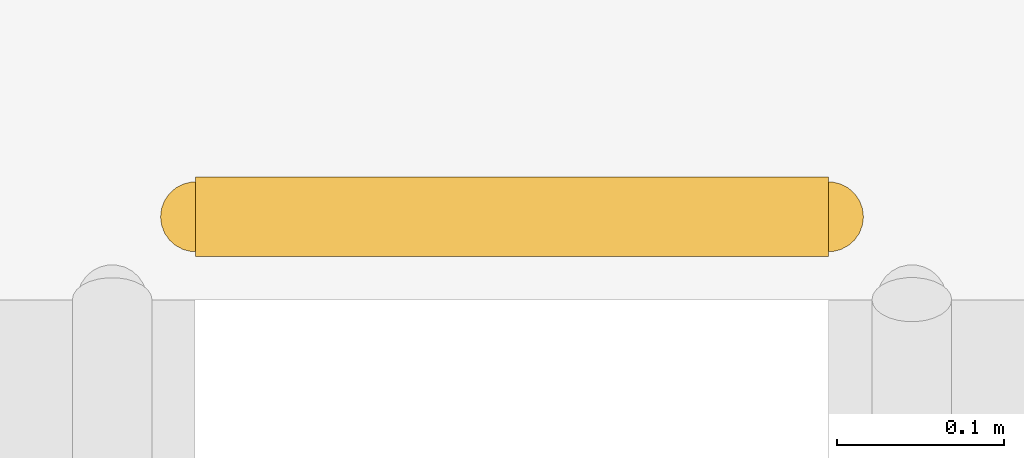
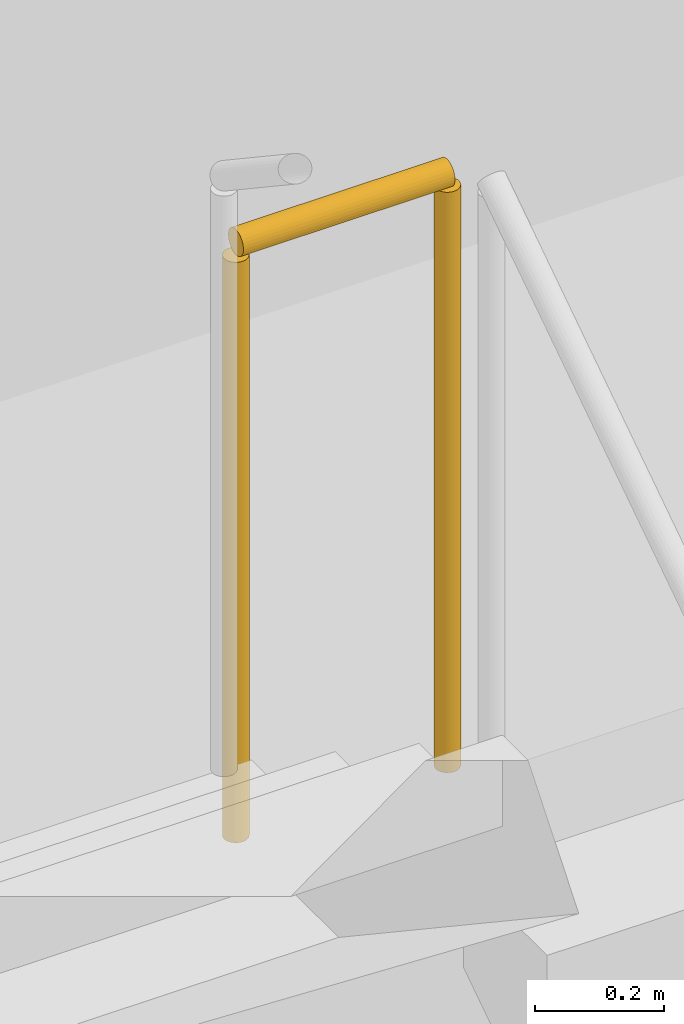
# One storey, part 27 of 30: 1 railing.
"""IFC4 building model written with IfcOpenShell, lengths in metres."""

from ifc_helpers import new_model, si_unit, direction, frame, origin, origin_2d, place, context, subcontext, project, spatial, circle, extrude, material, layer, layer_set, type_object, element, save


model = new_model("IFC4")

# Units and contexts
model_context = context("Model", 3, precision=1e-05, world=origin(), true_north=direction((0.0, 1.0)))
body_context = subcontext(model_context, "Body", "Model", "MODEL_VIEW")
ifc_project = project(units=[si_unit("LENGTHUNIT", "METRE"), si_unit("AREAUNIT", "SQUARE_METRE"), si_unit("VOLUMEUNIT", "CUBIC_METRE"), si_unit("PLANEANGLEUNIT", "RADIAN"), si_unit("MASSUNIT", "GRAM", prefix="KILO")], contexts=[model_context])

# Site, building, storey
site_placement = place(None, origin())
site = spatial("IfcSite", under=ifc_project, at=site_placement, CompositionType="ELEMENT")
building_placement = place(site_placement, origin())
building = spatial("IfcBuilding", under=site, at=building_placement, Name="Terralouvre Media Tower", CompositionType="ELEMENT")
storey_placement = place(building_placement, origin())
storey = spatial("IfcBuildingStorey", under=building, at=storey_placement, Name="L00", CompositionType="ELEMENT", Elevation=0.0)

# Railing
ifc_material = material(Name="Stainless steel 316 handrail and balustrade", Category="steel")
ifc_layer = layer(ifc_material, 0.050048828125, Name="Stairwell Safety Guardrail GR-INT1")
ifc_layer_set = layer_set([ifc_layer], Name="Stainless steel 316 handrail and balustrade")
railing_type = type_object("IfcRailingType", Name="Stairwell Safety Guardrail GR-INT1", PredefinedType="GUARDRAIL", material=ifc_layer_set)
railing_placement = place(storey_placement, frame((-6.0, 5.909912109375, 2.60009765625)))
element("IfcRailing", 1, at=railing_placement, inside=storey, type_object=railing_type, Name="L00 ST-01 stair guard 2", PredefinedType="GUARDRAIL", context=body_context, shape_type="SweptSolid", body=[
    extrude(circle(Radius=0.02392578125, at=origin_2d()), frame((0.0, 0.0, 1.1259765625), z_axis=(-1.0, 0.0, 0.0), x_axis=(0.0, -1.0, 0.0)), (0.0, 0.0, 1.0), 0.3798828125),
    extrude(circle(Radius=0.02099609375, at=origin_2d()), origin(), (0.0, 0.0, 1.0), 1.101806640625),
    extrude(circle(Radius=0.02099609375, at=origin_2d()), frame((-0.3798828125, 0.0, 0.0)), (0.0, 0.0, 1.0), 1.101806640625),
])

save(model, "model.ifc")
